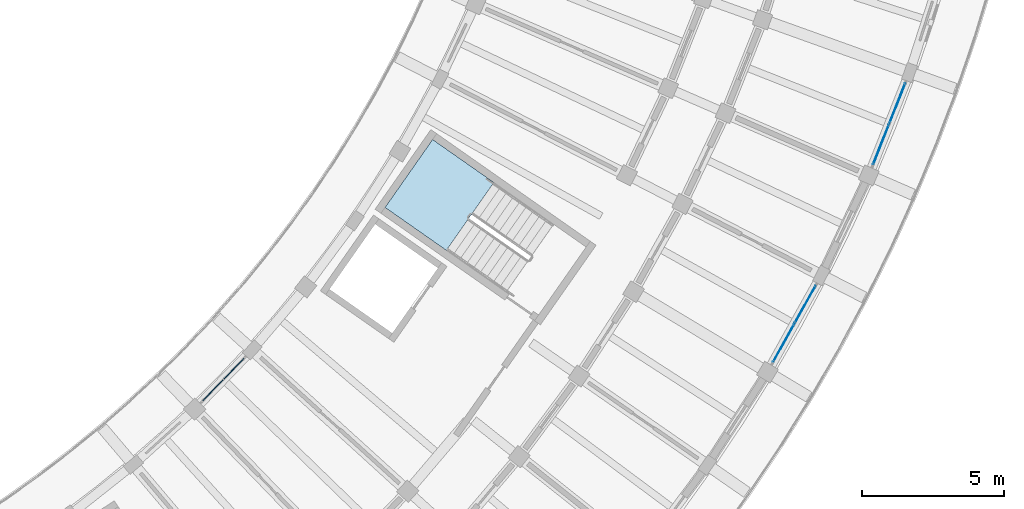
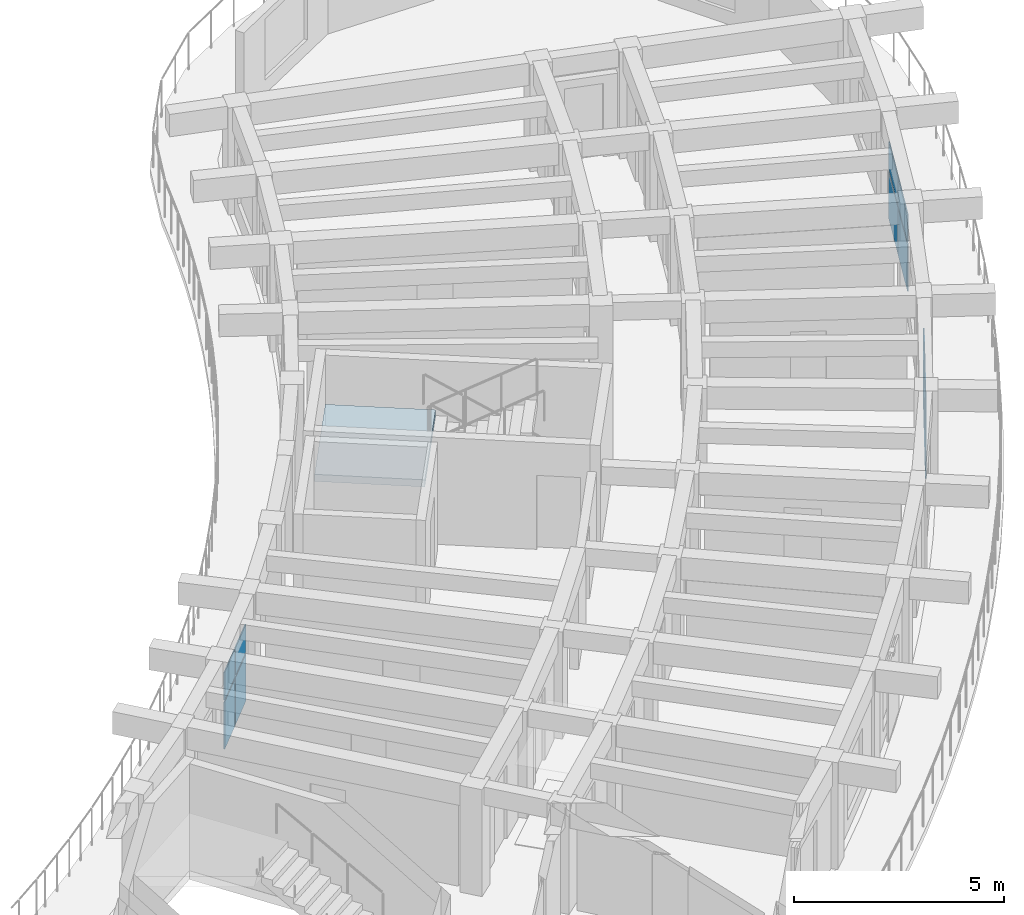
# One storey, part 51 of 96: 12 plates, 1 slab, 4 elements without a shape of their own.
"""IFC4 building model written with IfcOpenShell, lengths in metres."""

from ifc_helpers import new_model, si_unit, direction, frame, origin, origin_2d, place, context, subcontext, project, spatial, polyline, rectangle, outline, extrude, material, layer, layer_set, type_object, element, aggregate, save


model = new_model("IFC4")

# Units and contexts
model_context = context("Model", 3, precision=1e-05, world=origin(), true_north=direction((0.0, 1.0)))
body_context = subcontext(model_context, "Body", "Model", "MODEL_VIEW")
ifc_project = project(units=[si_unit("LENGTHUNIT", "METRE"), si_unit("AREAUNIT", "SQUARE_METRE"), si_unit("VOLUMEUNIT", "CUBIC_METRE"), si_unit("PLANEANGLEUNIT", "RADIAN"), si_unit("MASSUNIT", "GRAM", prefix="KILO")], contexts=[model_context])

# Site, building, storey
site_placement = place(None, origin())
site = spatial("IfcSite", under=ifc_project, at=site_placement, CompositionType="ELEMENT")
building_placement = place(site_placement, origin())
building = spatial("IfcBuilding", under=site, at=building_placement, Name="Tanwirah Colonnade Gardens", CompositionType="ELEMENT")
storey_placement = place(building_placement, frame((0.0, 0.0, 12.199951171875)))
storey = spatial("IfcBuildingStorey", under=building, at=storey_placement, Name="L03", CompositionType="ELEMENT", Elevation=12.199951171875)

# Curtain wall, plates
ifc_material_1 = material(Name="Bronze-anodised aluminium and solar-control low-E glass", Category="aluminium")
curtain_wall_type_1 = type_object("IfcCurtainWallType", Name="CW-GDN", PredefinedType="NOTDEFINED", material=ifc_material_1)
curtain_wall_1_placement = place(storey_placement, origin())
curtain_wall_1 = element("IfcCurtainWall", 1, at=curtain_wall_1_placement, inside=storey, type_object=curtain_wall_type_1, Name="Curtain Wall CW-D-L03-IN-08", PredefinedType="NOTDEFINED")
ifc_material_2 = material(Name="Solar-control low-E double glazing", Category="glass")
ifc_layer_1 = layer(ifc_material_2, 0.028076171875)
ifc_layer_set_1 = layer_set([ifc_layer_1], Name="Solar-control low-E double glazing")
plate_type = type_object("IfcPlateType", Name="CWP-GLZ28", PredefinedType="CURTAIN_PANEL", material=ifc_layer_set_1)
plate_1_placement = place(storey_placement, frame((152.51953125, 33.187255859375, 0.06005859375), z_axis=(0.0, 0.0, 1.0), x_axis=(0.696223466127, 0.717825107678, 0.0)))
plate_1 = element("IfcPlate", 2, at=plate_1_placement, type_object=plate_type, Name="CW-GDN panel 1.1", PredefinedType="CURTAIN_PANEL", context=body_context, shape_type="SweptSolid", body=[
    extrude(rectangle(XDim=1.00439453125, YDim=0.028076171875, at=origin_2d()), origin(), (0.0, 0.0, 1.0), 1.3701171875),
])
plate_2_placement = place(storey_placement, frame((152.51953125, 33.187255859375, 1.490234375), z_axis=(0.0, 0.0, 1.0), x_axis=(0.696223466127, 0.717825107678, 0.0)))
plate_2 = element("IfcPlate", 3, at=plate_2_placement, type_object=plate_type, Name="CW-GDN panel 1.2", PredefinedType="CURTAIN_PANEL", context=body_context, shape_type="SweptSolid", body=[
    extrude(rectangle(XDim=1.00439453125, YDim=0.028076171875, at=origin_2d()), origin(), (0.0, 0.0, 1.0), 0.804931640625),
])
plate_3_placement = place(storey_placement, frame((153.2607421875, 33.951416015625, 0.06005859375), z_axis=(0.0, 0.0, 1.0), x_axis=(0.696223466127, 0.717825107678, 0.0)))
plate_3 = element("IfcPlate", 4, at=plate_3_placement, type_object=plate_type, Name="CW-GDN panel 2.1", PredefinedType="CURTAIN_PANEL", context=body_context, shape_type="SweptSolid", body=[
    extrude(rectangle(XDim=1.00439453125, YDim=0.028076171875, at=origin_2d()), origin(), (0.0, 0.0, 1.0), 1.3701171875),
])
plate_4_placement = place(storey_placement, frame((153.2607421875, 33.951416015625, 1.490234375), z_axis=(0.0, 0.0, 1.0), x_axis=(0.696223466127, 0.717825107678, 0.0)))
plate_4 = element("IfcPlate", 5, at=plate_4_placement, type_object=plate_type, Name="CW-GDN panel 2.2", PredefinedType="CURTAIN_PANEL", context=body_context, shape_type="SweptSolid", body=[
    extrude(rectangle(XDim=1.00439453125, YDim=0.028076171875, at=origin_2d()), origin(), (0.0, 0.0, 1.0), 0.804931640625),
])
aggregate(curtain_wall_1, [plate_1, plate_2, plate_3, plate_4])

curtain_wall_type_2 = type_object("IfcCurtainWallType", Name="CW-LOB", PredefinedType="NOTDEFINED", material=ifc_material_1)
curtain_wall_2_placement = place(storey_placement, origin())
curtain_wall_2 = element("IfcCurtainWall", 6, at=curtain_wall_2_placement, inside=storey, type_object=curtain_wall_type_2, Name="Curtain Wall CW-D-L03-OUT-12", PredefinedType="NOTDEFINED")
plate_5_placement = place(storey_placement, frame((172.61328125, 34.850830078125, 0.06005859375), z_axis=(0.0, 0.0, 1.0), x_axis=(0.486715095364, 0.873560768318, 0.0)))
plate_5 = element("IfcPlate", 7, at=plate_5_placement, type_object=plate_type, Name="CW-LOB panel 1.1", PredefinedType="CURTAIN_PANEL", context=body_context, shape_type="SweptSolid", body=[
    extrude(rectangle(XDim=1.49853515625, YDim=0.028076171875, at=origin_2d()), origin(), (0.0, 0.0, 1.0), 1.3701171875),
])
plate_6_placement = place(storey_placement, frame((172.61328125, 34.850830078125, 1.490234375), z_axis=(0.0, 0.0, 1.0), x_axis=(0.486715095364, 0.873560768318, 0.0)))
plate_6 = element("IfcPlate", 8, at=plate_6_placement, type_object=plate_type, Name="CW-LOB panel 1.2", PredefinedType="CURTAIN_PANEL", context=body_context, shape_type="SweptSolid", body=[
    extrude(rectangle(XDim=1.49853515625, YDim=0.028076171875, at=origin_2d()), origin(), (0.0, 0.0, 1.0), 0.804931640625),
])
plate_7_placement = place(storey_placement, frame((173.371826171875, 36.212158203125, 0.06005859375), z_axis=(0.0, 0.0, 1.0), x_axis=(0.486715095364, 0.873560768318, 0.0)))
plate_7 = element("IfcPlate", 9, at=plate_7_placement, type_object=plate_type, Name="CW-LOB panel 2.1", PredefinedType="CURTAIN_PANEL", context=body_context, shape_type="SweptSolid", body=[
    extrude(rectangle(XDim=1.49853515625, YDim=0.028076171875, at=origin_2d()), origin(), (0.0, 0.0, 1.0), 1.3701171875),
])
plate_8_placement = place(storey_placement, frame((173.371826171875, 36.212158203125, 1.490234375), z_axis=(0.0, 0.0, 1.0), x_axis=(0.486715095364, 0.873560768318, 0.0)))
plate_8 = element("IfcPlate", 10, at=plate_8_placement, type_object=plate_type, Name="CW-LOB panel 2.2", PredefinedType="CURTAIN_PANEL", context=body_context, shape_type="SweptSolid", body=[
    extrude(rectangle(XDim=1.49853515625, YDim=0.028076171875, at=origin_2d()), origin(), (0.0, 0.0, 1.0), 0.804931640625),
])
aggregate(curtain_wall_2, [plate_5, plate_6, plate_7, plate_8])

curtain_wall_3_placement = place(storey_placement, origin())
curtain_wall_3 = element("IfcCurtainWall", 11, at=curtain_wall_3_placement, inside=storey, type_object=curtain_wall_type_2, Name="Curtain Wall CW-D-L03-OUT-14", PredefinedType="NOTDEFINED")
plate_9_placement = place(storey_placement, frame((176.041748046875, 41.84130859375, 0.06005859375), z_axis=(0.0, 0.0, 1.0), x_axis=(0.368528781723, 0.929616338627, 0.0)))
plate_9 = element("IfcPlate", 12, at=plate_9_placement, type_object=plate_type, Name="CW-LOB panel 1.1", PredefinedType="CURTAIN_PANEL", context=body_context, shape_type="SweptSolid", body=[
    extrude(rectangle(XDim=1.49853515625, YDim=0.028076171875, at=origin_2d()), origin(), (0.0, 0.0, 1.0), 1.3701171875),
])
plate_10_placement = place(storey_placement, frame((176.041748046875, 41.84130859375, 1.490234375), z_axis=(0.0, 0.0, 1.0), x_axis=(0.368528781723, 0.929616338627, 0.0)))
plate_10 = element("IfcPlate", 13, at=plate_10_placement, type_object=plate_type, Name="CW-LOB panel 1.2", PredefinedType="CURTAIN_PANEL", context=body_context, shape_type="SweptSolid", body=[
    extrude(rectangle(XDim=1.49853515625, YDim=0.028076171875, at=origin_2d()), origin(), (0.0, 0.0, 1.0), 0.804931640625),
])
plate_11_placement = place(storey_placement, frame((176.6162109375, 43.2900390625, 0.06005859375), z_axis=(0.0, 0.0, 1.0), x_axis=(0.368528781723, 0.929616338627, 0.0)))
plate_11 = element("IfcPlate", 14, at=plate_11_placement, type_object=plate_type, Name="CW-LOB panel 2.1", PredefinedType="CURTAIN_PANEL", context=body_context, shape_type="SweptSolid", body=[
    extrude(rectangle(XDim=1.49853515625, YDim=0.028076171875, at=origin_2d()), origin(), (0.0, 0.0, 1.0), 1.3701171875),
])
plate_12_placement = place(storey_placement, frame((176.6162109375, 43.2900390625, 1.490234375), z_axis=(0.0, 0.0, 1.0), x_axis=(0.368528781723, 0.929616338627, 0.0)))
plate_12 = element("IfcPlate", 15, at=plate_12_placement, type_object=plate_type, Name="CW-LOB panel 2.2", PredefinedType="CURTAIN_PANEL", context=body_context, shape_type="SweptSolid", body=[
    extrude(rectangle(XDim=1.49853515625, YDim=0.028076171875, at=origin_2d()), origin(), (0.0, 0.0, 1.0), 0.804931640625),
])
aggregate(curtain_wall_3, [plate_9, plate_10, plate_11, plate_12])

# Stair, slab
ifc_material_3 = material(Name="Precast concrete C40/50", Category="concrete")
stair_type = type_object("IfcStairType", Name="ST-RES168", PredefinedType="HALF_TURN_STAIR", material=ifc_material_3)
stair_placement = place(storey_placement, origin())
stair = element("IfcStair", 16, at=stair_placement, inside=storey, type_object=stair_type, Name="L03 Block D Core 2 Exit Stair", PredefinedType="HALF_TURN_STAIR")
ifc_layer_2 = layer(ifc_material_3, 0.205078125)
ifc_layer_set_2 = layer_set([ifc_layer_2], Name="Precast concrete C40/50")
slab_type = type_object("IfcSlabType", Name="SL-LND-205", PredefinedType="LANDING", material=ifc_layer_set_2)
slab_placement = place(storey_placement, frame((0.0, 0.0, 1.47509765625)))
slab = element("IfcSlab", 17, at=slab_placement, type_object=slab_type, Name="ST-D2 landing 1", PredefinedType="LANDING", context=body_context, shape_type="SweptSolid", body=[
    extrude(outline(polyline([(162.412841796875, 40.507568359375), (160.25439453125, 42.018798828125), (158.57958984375, 39.626953125), (160.738037109375, 38.11572265625), (162.412841796875, 40.507568359375)])), origin(), (0.0, 0.0, 1.0), 0.204833984375),
])
aggregate(stair, [slab])

save(model, "model.ifc")
